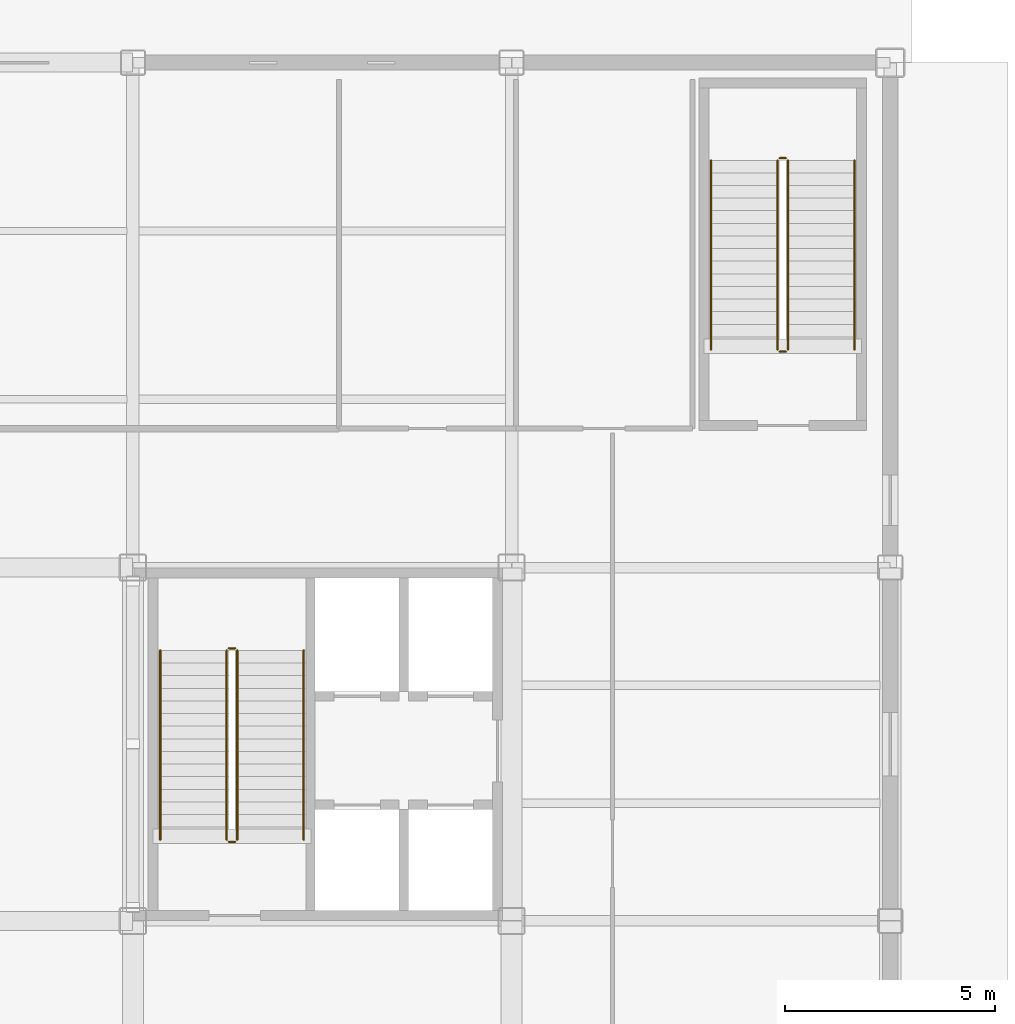
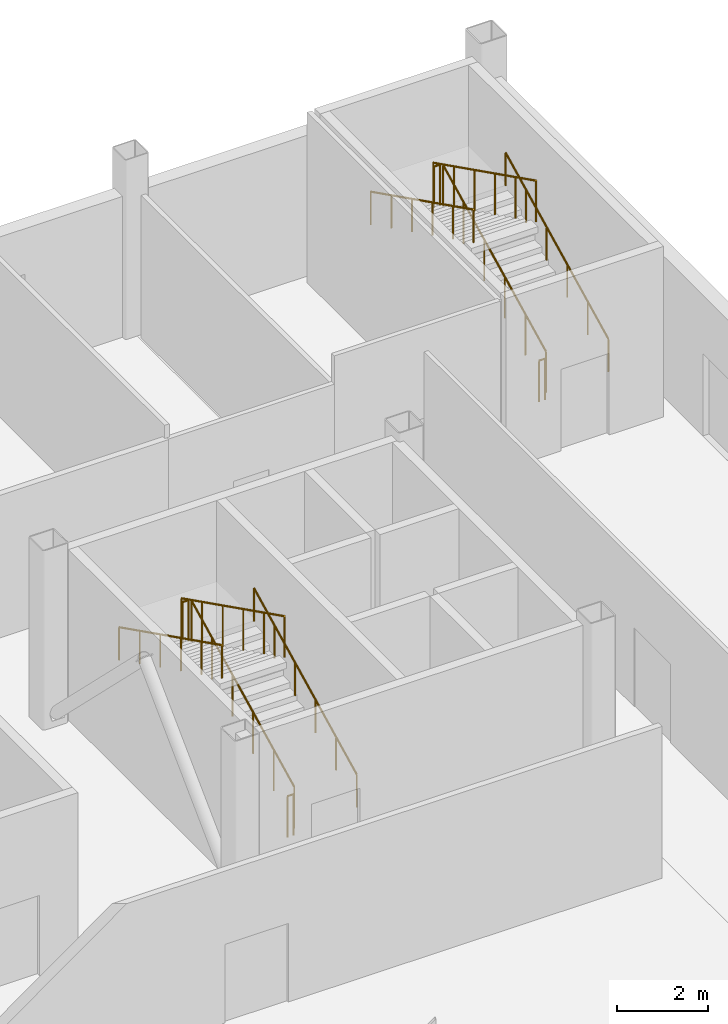
# One storey, part 82 of 82: 12 railings.
"""IFC4 building model written with IfcOpenShell, lengths in metres."""

from ifc_helpers import new_model, si_unit, direction, frame, origin, origin_2d, place, context, subcontext, project, spatial, circle, extrude, material, layer, layer_set, type_object, element, save


model = new_model("IFC4")

# Units and contexts
model_context = context("Model", 3, precision=1e-05, world=origin(), true_north=direction((0.0, 1.0)))
body_context = subcontext(model_context, "Body", "Model", "MODEL_VIEW")
ifc_project = project(units=[si_unit("LENGTHUNIT", "METRE"), si_unit("AREAUNIT", "SQUARE_METRE"), si_unit("VOLUMEUNIT", "CUBIC_METRE"), si_unit("PLANEANGLEUNIT", "RADIAN"), si_unit("MASSUNIT", "GRAM", prefix="KILO")], contexts=[model_context])

# Site, building, storey
site_placement = place(None, origin())
site = spatial("IfcSite", under=ifc_project, at=site_placement, CompositionType="ELEMENT")
building_placement = place(site_placement, origin())
building = spatial("IfcBuilding", under=site, at=building_placement, Name="Yukiwa Park Conservatory and Herbarium", CompositionType="ELEMENT")
storey_placement = place(building_placement, origin())
storey = spatial("IfcBuildingStorey", under=building, at=storey_placement, Name="L00", CompositionType="ELEMENT", Elevation=0.0)

# Railings
ifc_material_1 = material(Name="Steel Q235B", Category="steel")
ifc_layer_1 = layer(ifc_material_1, 0.050048828125)
ifc_layer_set_1 = layer_set([ifc_layer_1], Name="Steel Q235B")
railing_type_1 = type_object("IfcRailingType", Name="RL-STAIR-GUARD-1120", PredefinedType="BALUSTRADE", material=ifc_layer_set_1)
railing_1_placement = place(storey_placement, frame((152.47998046875, 96.72998046875, 0.14990234375)))
element("IfcRailing", 1, at=railing_1_placement, inside=storey, type_object=railing_type_1, Name="L00 ST-T2 stair guard 1", PredefinedType="BALUSTRADE", context=body_context, shape_type="SweptSolid", body=[
    extrude(circle(Radius=0.02392578125, at=origin_2d()), frame((0.0, 0.0, 1.09619140625), z_axis=(0.0, 0.894427191, 0.4472135955), x_axis=(-1.0, 0.0, 0.0)), (0.0, 0.0, 1.0), 5.03125),
    extrude(circle(Radius=0.02099609375, at=origin_2d()), origin(), (0.0, 0.0, 1.0), 1.072021484375),
    extrude(circle(Radius=0.02099609375, at=origin_2d()), frame((0.0, 0.89990234375, 0.449951171875)), (0.0, 0.0, 1.0), 1.072021484375),
    extrude(circle(Radius=0.02099609375, at=origin_2d()), frame((0.0, 1.800048828125, 0.89990234375)), (0.0, 0.0, 1.0), 1.072021484375),
    extrude(circle(Radius=0.02099609375, at=origin_2d()), frame((0.0, 2.699951171875, 1.35009765625)), (0.0, 0.0, 1.0), 1.072021484375),
    extrude(circle(Radius=0.02099609375, at=origin_2d()), frame((0.0, 3.60009765625, 1.800048828125)), (0.0, 0.0, 1.0), 1.072021484375),
    extrude(circle(Radius=0.02099609375, at=origin_2d()), frame((0.0, 4.5, 2.25)), (0.0, 0.0, 1.0), 1.072021484375),
])
railing_2_placement = place(storey_placement, frame((152.429931640625, 101.280029296875, 2.39990234375)))
element("IfcRailing", 2, at=railing_2_placement, inside=storey, type_object=railing_type_1, Name="L00 ST-T2 stair guard 2", PredefinedType="BALUSTRADE", context=body_context, shape_type="SweptSolid", body=[
    extrude(circle(Radius=0.02392578125, at=origin_2d()), frame((0.0, 0.0, 1.09619140625), z_axis=(-1.0, 0.0, 0.0), x_axis=(0.0, -1.0, 0.0)), (0.0, 0.0, 1.0), 0.14990234375),
    extrude(circle(Radius=0.02099609375, at=origin_2d()), origin(), (0.0, 0.0, 1.0), 1.072021484375),
    extrude(circle(Radius=0.02099609375, at=origin_2d()), frame((-0.14990234375, 0.0, 0.0)), (0.0, 0.0, 1.0), 1.072021484375),
])
railing_3_placement = place(storey_placement, frame((152.22998046875, 101.22998046875, 2.550048828125)))
element("IfcRailing", 3, at=railing_3_placement, inside=storey, type_object=railing_type_1, Name="L00 ST-T2 stair guard 3", PredefinedType="BALUSTRADE", context=body_context, shape_type="SweptSolid", body=[
    extrude(circle(Radius=0.02392578125, at=origin_2d()), frame((0.0, 0.0, 1.09619140625), z_axis=(0.0, -0.894427191, 0.4472135955), x_axis=(1.0, 0.0, 0.0)), (0.0, 0.0, 1.0), 5.03125),
    extrude(circle(Radius=0.02099609375, at=origin_2d()), origin(), (0.0, 0.0, 1.0), 1.072021484375),
    extrude(circle(Radius=0.02099609375, at=origin_2d()), frame((0.0, -0.89990234375, 0.449951171875)), (0.0, 0.0, 1.0), 1.072021484375),
    extrude(circle(Radius=0.02099609375, at=origin_2d()), frame((0.0, -1.800048828125, 0.89990234375)), (0.0, 0.0, 1.0), 1.072021484375),
    extrude(circle(Radius=0.02099609375, at=origin_2d()), frame((0.0, -2.699951171875, 1.35009765625)), (0.0, 0.0, 1.0), 1.072021484375),
    extrude(circle(Radius=0.02099609375, at=origin_2d()), frame((0.0, -3.60009765625, 1.800048828125)), (0.0, 0.0, 1.0), 1.072021484375),
    extrude(circle(Radius=0.02099609375, at=origin_2d()), frame((0.0, -4.5, 2.25)), (0.0, 0.0, 1.0), 1.072021484375),
])
railing_4_placement = place(storey_placement, frame((152.429931640625, 96.679931640625, 0.0)))
element("IfcRailing", 4, at=railing_4_placement, inside=storey, type_object=railing_type_1, Name="L00 ST-T2 stair guard 4", PredefinedType="BALUSTRADE", context=body_context, shape_type="SweptSolid", body=[
    extrude(circle(Radius=0.02392578125, at=origin_2d()), frame((0.0, 0.0, 1.09619140625), z_axis=(-1.0, 0.0, 0.0), x_axis=(0.0, -1.0, 0.0)), (0.0, 0.0, 1.0), 0.14990234375),
    extrude(circle(Radius=0.02099609375, at=origin_2d()), origin(), (0.0, 0.0, 1.0), 1.072021484375),
    extrude(circle(Radius=0.02099609375, at=origin_2d()), frame((-0.14990234375, 0.0, 0.0)), (0.0, 0.0, 1.0), 1.072021484375),
])
railing_5_placement = place(storey_placement, frame((165.570068359375, 108.3798828125, 0.14990234375)))
element("IfcRailing", 5, at=railing_5_placement, inside=storey, type_object=railing_type_1, Name="L00 ST-T3 stair guard 1", PredefinedType="BALUSTRADE", context=body_context, shape_type="SweptSolid", body=[
    extrude(circle(Radius=0.02392578125, at=origin_2d()), frame((0.0, 0.0, 1.09619140625), z_axis=(0.0, 0.894427191, 0.4472135955), x_axis=(-1.0, 0.0, 0.0)), (0.0, 0.0, 1.0), 5.03125),
    extrude(circle(Radius=0.02099609375, at=origin_2d()), origin(), (0.0, 0.0, 1.0), 1.072021484375),
    extrude(circle(Radius=0.02099609375, at=origin_2d()), frame((0.0, 0.89990234375, 0.449951171875)), (0.0, 0.0, 1.0), 1.072021484375),
    extrude(circle(Radius=0.02099609375, at=origin_2d()), frame((0.0, 1.800048828125, 0.89990234375)), (0.0, 0.0, 1.0), 1.072021484375),
    extrude(circle(Radius=0.02099609375, at=origin_2d()), frame((0.0, 2.699951171875, 1.35009765625)), (0.0, 0.0, 1.0), 1.072021484375),
    extrude(circle(Radius=0.02099609375, at=origin_2d()), frame((0.0, 3.60009765625, 1.800048828125)), (0.0, 0.0, 1.0), 1.072021484375),
    extrude(circle(Radius=0.02099609375, at=origin_2d()), frame((0.0, 4.5, 2.25)), (0.0, 0.0, 1.0), 1.072021484375),
])
railing_6_placement = place(storey_placement, frame((165.52001953125, 112.929931640625, 2.39990234375)))
element("IfcRailing", 6, at=railing_6_placement, inside=storey, type_object=railing_type_1, Name="L00 ST-T3 stair guard 2", PredefinedType="BALUSTRADE", context=body_context, shape_type="SweptSolid", body=[
    extrude(circle(Radius=0.02392578125, at=origin_2d()), frame((0.0, 0.0, 1.09619140625), z_axis=(-1.0, 0.0, 0.0), x_axis=(0.0, -1.0, 0.0)), (0.0, 0.0, 1.0), 0.14990234375),
    extrude(circle(Radius=0.02099609375, at=origin_2d()), origin(), (0.0, 0.0, 1.0), 1.072021484375),
    extrude(circle(Radius=0.02099609375, at=origin_2d()), frame((-0.14990234375, 0.0, 0.0)), (0.0, 0.0, 1.0), 1.072021484375),
])
railing_7_placement = place(storey_placement, frame((165.320068359375, 112.8798828125, 2.550048828125)))
element("IfcRailing", 7, at=railing_7_placement, inside=storey, type_object=railing_type_1, Name="L00 ST-T3 stair guard 3", PredefinedType="BALUSTRADE", context=body_context, shape_type="SweptSolid", body=[
    extrude(circle(Radius=0.02392578125, at=origin_2d()), frame((0.0, 0.0, 1.09619140625), z_axis=(0.0, -0.894427191, 0.4472135955), x_axis=(1.0, 0.0, 0.0)), (0.0, 0.0, 1.0), 5.03125),
    extrude(circle(Radius=0.02099609375, at=origin_2d()), origin(), (0.0, 0.0, 1.0), 1.072021484375),
    extrude(circle(Radius=0.02099609375, at=origin_2d()), frame((0.0, -0.89990234375, 0.449951171875)), (0.0, 0.0, 1.0), 1.072021484375),
    extrude(circle(Radius=0.02099609375, at=origin_2d()), frame((0.0, -1.800048828125, 0.89990234375)), (0.0, 0.0, 1.0), 1.072021484375),
    extrude(circle(Radius=0.02099609375, at=origin_2d()), frame((0.0, -2.699951171875, 1.35009765625)), (0.0, 0.0, 1.0), 1.072021484375),
    extrude(circle(Radius=0.02099609375, at=origin_2d()), frame((0.0, -3.60009765625, 1.800048828125)), (0.0, 0.0, 1.0), 1.072021484375),
    extrude(circle(Radius=0.02099609375, at=origin_2d()), frame((0.0, -4.5, 2.25)), (0.0, 0.0, 1.0), 1.072021484375),
])
railing_8_placement = place(storey_placement, frame((165.52001953125, 108.330078125, 0.0)))
element("IfcRailing", 8, at=railing_8_placement, inside=storey, type_object=railing_type_1, Name="L00 ST-T3 stair guard 4", PredefinedType="BALUSTRADE", context=body_context, shape_type="SweptSolid", body=[
    extrude(circle(Radius=0.02392578125, at=origin_2d()), frame((0.0, 0.0, 1.09619140625), z_axis=(-1.0, 0.0, 0.0), x_axis=(0.0, -1.0, 0.0)), (0.0, 0.0, 1.0), 0.14990234375),
    extrude(circle(Radius=0.02099609375, at=origin_2d()), origin(), (0.0, 0.0, 1.0), 1.072021484375),
    extrude(circle(Radius=0.02099609375, at=origin_2d()), frame((-0.14990234375, 0.0, 0.0)), (0.0, 0.0, 1.0), 1.072021484375),
])
ifc_material_2 = material(Name="Steel Q235B", Category="steel")
ifc_layer_2 = layer(ifc_material_2, 0.044921875)
ifc_layer_set_2 = layer_set([ifc_layer_2], Name="Steel Q235B")
railing_type_2 = type_object("IfcRailingType", Name="RL-STAIR-RAIL-900", PredefinedType="HANDRAIL", material=ifc_layer_set_2)
railing_9_placement = place(storey_placement, frame((154.06005859375, 96.72998046875, 0.14990234375)))
element("IfcRailing", 9, at=railing_9_placement, inside=storey, type_object=railing_type_2, Name="L00 ST-T2 stair handrail 1", PredefinedType="HANDRAIL", context=body_context, shape_type="SweptSolid", body=[
    extrude(circle(Radius=0.02392578125, at=origin_2d()), frame((0.0, 0.0, 0.8759765625), z_axis=(0.0, 0.894427191, 0.4472135955), x_axis=(-1.0, 0.0, 0.0)), (0.0, 0.0, 1.0), 5.03125),
    extrude(circle(Radius=0.02099609375, at=origin_2d()), origin(), (0.0, 0.0, 1.0), 0.851806640625),
    extrude(circle(Radius=0.02099609375, at=origin_2d()), frame((0.0, 0.89990234375, 0.449951171875)), (0.0, 0.0, 1.0), 0.851806640625),
    extrude(circle(Radius=0.02099609375, at=origin_2d()), frame((0.0, 1.800048828125, 0.89990234375)), (0.0, 0.0, 1.0), 0.851806640625),
    extrude(circle(Radius=0.02099609375, at=origin_2d()), frame((0.0, 2.699951171875, 1.35009765625)), (0.0, 0.0, 1.0), 0.851806640625),
    extrude(circle(Radius=0.02099609375, at=origin_2d()), frame((0.0, 3.60009765625, 1.800048828125)), (0.0, 0.0, 1.0), 0.851806640625),
    extrude(circle(Radius=0.02099609375, at=origin_2d()), frame((0.0, 4.5, 2.25)), (0.0, 0.0, 1.0), 0.851806640625),
])
railing_10_placement = place(storey_placement, frame((150.64990234375, 101.22998046875, 2.550048828125)))
element("IfcRailing", 10, at=railing_10_placement, inside=storey, type_object=railing_type_2, Name="L00 ST-T2 stair handrail 2", PredefinedType="HANDRAIL", context=body_context, shape_type="SweptSolid", body=[
    extrude(circle(Radius=0.02392578125, at=origin_2d()), frame((0.0, 0.0, 0.8759765625), z_axis=(0.0, -0.894427191, 0.4472135955), x_axis=(1.0, 0.0, 0.0)), (0.0, 0.0, 1.0), 5.03125),
    extrude(circle(Radius=0.02099609375, at=origin_2d()), origin(), (0.0, 0.0, 1.0), 0.851806640625),
    extrude(circle(Radius=0.02099609375, at=origin_2d()), frame((0.0, -0.89990234375, 0.449951171875)), (0.0, 0.0, 1.0), 0.851806640625),
    extrude(circle(Radius=0.02099609375, at=origin_2d()), frame((0.0, -1.800048828125, 0.89990234375)), (0.0, 0.0, 1.0), 0.851806640625),
    extrude(circle(Radius=0.02099609375, at=origin_2d()), frame((0.0, -2.699951171875, 1.35009765625)), (0.0, 0.0, 1.0), 0.851806640625),
    extrude(circle(Radius=0.02099609375, at=origin_2d()), frame((0.0, -3.60009765625, 1.800048828125)), (0.0, 0.0, 1.0), 0.851806640625),
    extrude(circle(Radius=0.02099609375, at=origin_2d()), frame((0.0, -4.5, 2.25)), (0.0, 0.0, 1.0), 0.851806640625),
])
railing_11_placement = place(storey_placement, frame((167.14990234375, 108.3798828125, 0.14990234375)))
element("IfcRailing", 11, at=railing_11_placement, inside=storey, type_object=railing_type_2, Name="L00 ST-T3 stair handrail 1", PredefinedType="HANDRAIL", context=body_context, shape_type="SweptSolid", body=[
    extrude(circle(Radius=0.02392578125, at=origin_2d()), frame((0.0, 0.0, 0.8759765625), z_axis=(0.0, 0.894427191, 0.4472135955), x_axis=(-1.0, 0.0, 0.0)), (0.0, 0.0, 1.0), 5.03125),
    extrude(circle(Radius=0.02099609375, at=origin_2d()), origin(), (0.0, 0.0, 1.0), 0.851806640625),
    extrude(circle(Radius=0.02099609375, at=origin_2d()), frame((0.0, 0.89990234375, 0.449951171875)), (0.0, 0.0, 1.0), 0.851806640625),
    extrude(circle(Radius=0.02099609375, at=origin_2d()), frame((0.0, 1.800048828125, 0.89990234375)), (0.0, 0.0, 1.0), 0.851806640625),
    extrude(circle(Radius=0.02099609375, at=origin_2d()), frame((0.0, 2.699951171875, 1.35009765625)), (0.0, 0.0, 1.0), 0.851806640625),
    extrude(circle(Radius=0.02099609375, at=origin_2d()), frame((0.0, 3.60009765625, 1.800048828125)), (0.0, 0.0, 1.0), 0.851806640625),
    extrude(circle(Radius=0.02099609375, at=origin_2d()), frame((0.0, 4.5, 2.25)), (0.0, 0.0, 1.0), 0.851806640625),
])
railing_12_placement = place(storey_placement, frame((163.739990234375, 112.8798828125, 2.550048828125)))
element("IfcRailing", 12, at=railing_12_placement, inside=storey, type_object=railing_type_2, Name="L00 ST-T3 stair handrail 2", PredefinedType="HANDRAIL", context=body_context, shape_type="SweptSolid", body=[
    extrude(circle(Radius=0.02392578125, at=origin_2d()), frame((0.0, 0.0, 0.8759765625), z_axis=(0.0, -0.894427191, 0.4472135955), x_axis=(1.0, 0.0, 0.0)), (0.0, 0.0, 1.0), 5.03125),
    extrude(circle(Radius=0.02099609375, at=origin_2d()), origin(), (0.0, 0.0, 1.0), 0.851806640625),
    extrude(circle(Radius=0.02099609375, at=origin_2d()), frame((0.0, -0.89990234375, 0.449951171875)), (0.0, 0.0, 1.0), 0.851806640625),
    extrude(circle(Radius=0.02099609375, at=origin_2d()), frame((0.0, -1.800048828125, 0.89990234375)), (0.0, 0.0, 1.0), 0.851806640625),
    extrude(circle(Radius=0.02099609375, at=origin_2d()), frame((0.0, -2.699951171875, 1.35009765625)), (0.0, 0.0, 1.0), 0.851806640625),
    extrude(circle(Radius=0.02099609375, at=origin_2d()), frame((0.0, -3.60009765625, 1.800048828125)), (0.0, 0.0, 1.0), 0.851806640625),
    extrude(circle(Radius=0.02099609375, at=origin_2d()), frame((0.0, -4.5, 2.25)), (0.0, 0.0, 1.0), 0.851806640625),
])

save(model, "model.ifc")
